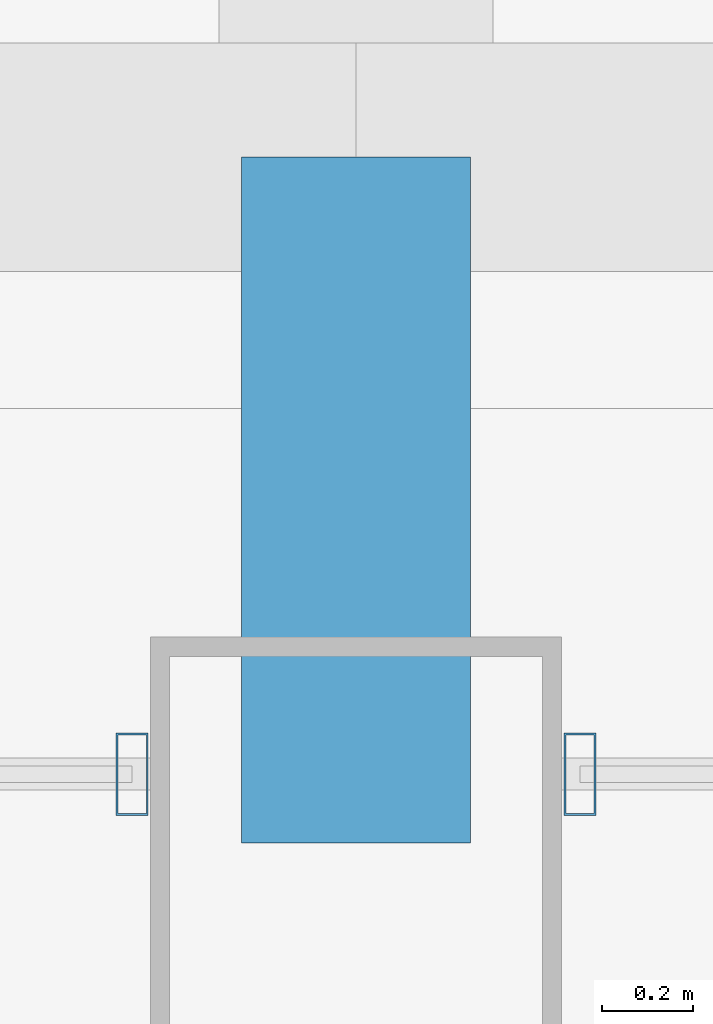
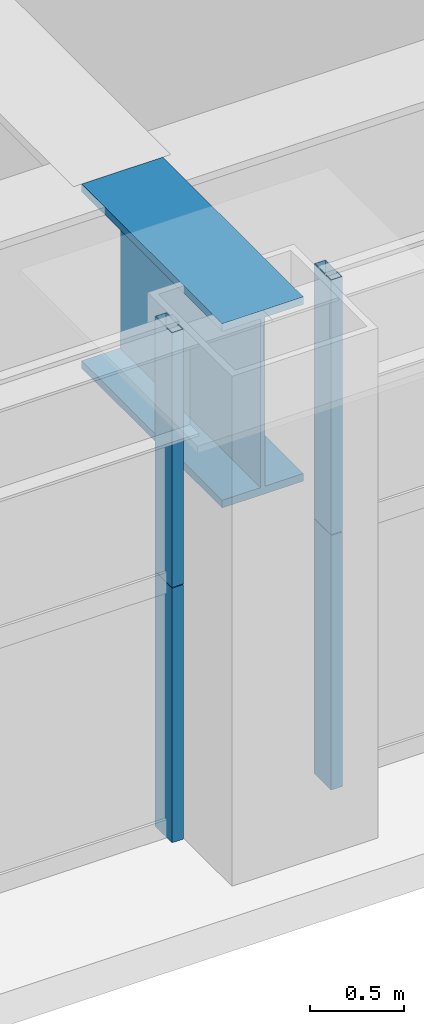
# One storey, part 7 of 44: 4 members, 1 beam, 2 elements without a shape of their own.
"""IFC4 building model written with IfcOpenShell, lengths in metres."""

from ifc_helpers import new_model, si_unit, direction, frame, origin, origin_2d, place, context, subcontext, project, spatial, hollow_rectangle, i_section, extrude, source, transform, mapped, material, layer, layer_set, material_profile, profile_set, type_object, element, aggregate, save


model = new_model("IFC4")

# Units and contexts
model_context = context("Model", 3, precision=1e-05, world=origin(), true_north=direction((0.0, 1.0)))
body_context = subcontext(model_context, "Body", "Model", "MODEL_VIEW")
ifc_project = project(units=[si_unit("LENGTHUNIT", "METRE"), si_unit("AREAUNIT", "SQUARE_METRE"), si_unit("VOLUMEUNIT", "CUBIC_METRE"), si_unit("PLANEANGLEUNIT", "RADIAN"), si_unit("MASSUNIT", "GRAM", prefix="KILO"), si_unit("THERMODYNAMICTEMPERATUREUNIT", "KELVIN"), si_unit("POWERUNIT", "WATT")], contexts=[model_context])

# Site, building, storey
site_placement = place(None, origin())
site = spatial("IfcSite", under=ifc_project, at=site_placement, CompositionType="ELEMENT")
building_placement = place(site_placement, origin())
building = spatial("IfcBuilding", under=site, at=building_placement, Name="Yuzanri Waterfront Tower", CompositionType="ELEMENT")
storey_placement = place(building_placement, frame((0.0, 0.0, 82.0)))
storey = spatial("IfcBuildingStorey", under=building, at=storey_placement, Name="L21", CompositionType="ELEMENT", Elevation=82.0)

# Beam
ifc_material_1 = material(Name="Steel Q420GJC", Category="steel")
ifc_material_profile_1 = material_profile(ifc_material_1, i_section(OverallWidth=0.5, OverallDepth=1.199951171875, WebThickness=0.028076171875, FlangeThickness=0.050048828125, at=origin_2d()), Name="PG 1200x500x28x50")
ifc_profile_set_1 = profile_set([ifc_material_profile_1], Name="Steel Q420GJC")
beam_type = type_object("IfcBeamType", Name="Setback Transfer Girder Q420GJC PG 1200x500", PredefinedType="USERDEFINED", material=ifc_profile_set_1)
shared_shape_1 = source(origin(), body_context, "Body", "SweptSolid", [
    extrude(i_section(OverallWidth=0.5, OverallDepth=1.199951171875, WebThickness=0.028076171875, FlangeThickness=0.050048828125, at=origin_2d()), origin(), (0.0, 0.0, 1.0), 1.5),
])
beam_placement = place(storey_placement, frame((37.0, 2.199951171875, 2.719970703125), z_axis=(0.0, -1.0, 0.0), x_axis=(1.0, 0.0, 0.0)))
element("IfcBeam", 1, at=beam_placement, inside=storey, type_object=beam_type, Name="L21 Setback Step Transfer S2", ObjectType="GIRDER", PredefinedType="USERDEFINED", context=body_context, shape_type="MappedRepresentation", body=[
    mapped(shared_shape_1, transform((0.0, 0.0, 0.0), scale=1.0)),
])

# Curtain wall, members
ifc_material_2 = material(Name="Anodized Architectural Bronze", Category="metal")
ifc_layer = layer(ifc_material_2, 0.159912109375)
ifc_layer_set = layer_set([ifc_layer], Name="Anodized Architectural Bronze")
curtain_wall_type = type_object("IfcCurtainWallType", Name="Anodized Bronze Hotel Lower-Tier Recessed Unitized Curtain Wall 8100", PredefinedType="NOTDEFINED", material=ifc_layer_set)
curtain_wall_1_placement = place(storey_placement, origin())
curtain_wall_1 = element("IfcCurtainWall", 2, at=curtain_wall_1_placement, inside=storey, type_object=curtain_wall_type, Name="L21 Curtain Wall CW-L21-SL", PredefinedType="NOTDEFINED")
ifc_material_3 = material(Name="Anodized Architectural Bronze", Category="metal")
ifc_material_profile_2 = material_profile(ifc_material_3, hollow_rectangle(XDim=0.070068359375, YDim=0.179931640625, WallThickness=0.00390625, at=origin_2d()), Name="CWM 70x180")
ifc_profile_set_2 = profile_set([ifc_material_profile_2], Name="Anodized Architectural Bronze")
member_type = type_object("IfcMemberType", Name="Anodized Bronze Standard Curtain-Wall Mullion 70x180", PredefinedType="MULLION", material=ifc_profile_set_2)
shared_shape_2 = source(origin(), body_context, "Body", "SweptSolid", [
    extrude(hollow_rectangle(XDim=0.070068359375, YDim=0.179931640625, WallThickness=0.00390625, at=origin_2d()), origin(), (0.0, 0.0, 1.0), 1.657958984375),
])
member_1_placement = place(storey_placement, frame((36.510009765625, 0.85009765625, 0.0), z_axis=(0.0, 0.0, 1.0), x_axis=(1.0, 0.0, 0.0)))
member_1 = element("IfcMember", 3, at=member_1_placement, type_object=member_type, Name="CW-L21-SL Lower Mullion 02", PredefinedType="MULLION", context=body_context, shape_type="MappedRepresentation", body=[
    mapped(shared_shape_2, transform((0.0, 0.0, 0.0), scale=1.0)),
])
member_2_placement = place(storey_placement, frame((36.510009765625, 0.85009765625, 1.662109375), z_axis=(0.0, 0.0, 1.0), x_axis=(1.0, 0.0, 0.0)))
member_2 = element("IfcMember", 4, at=member_2_placement, type_object=member_type, Name="CW-L21-SL Upper Mullion 02", PredefinedType="MULLION", context=body_context, shape_type="MappedRepresentation", body=[
    mapped(shared_shape_2, transform((0.0, 0.0, 0.0), scale=1.0)),
])
aggregate(curtain_wall_1, [member_1, member_2])

curtain_wall_2_placement = place(storey_placement, origin())
curtain_wall_2 = element("IfcCurtainWall", 5, at=curtain_wall_2_placement, inside=storey, type_object=curtain_wall_type, Name="L21 Curtain Wall CW-L21-SR", PredefinedType="NOTDEFINED")
member_3_placement = place(storey_placement, frame((37.489990234375, 0.85009765625, 0.0), z_axis=(0.0, 0.0, 1.0), x_axis=(1.0, 0.0, 0.0)))
member_3 = element("IfcMember", 6, at=member_3_placement, type_object=member_type, Name="CW-L21-SR Lower Mullion 00", PredefinedType="MULLION", context=body_context, shape_type="MappedRepresentation", body=[
    mapped(shared_shape_2, transform((0.0, 0.0, 0.0), scale=1.0)),
])
member_4_placement = place(storey_placement, frame((37.489990234375, 0.85009765625, 1.662109375), z_axis=(0.0, 0.0, 1.0), x_axis=(1.0, 0.0, 0.0)))
member_4 = element("IfcMember", 7, at=member_4_placement, type_object=member_type, Name="CW-L21-SR Upper Mullion 00", PredefinedType="MULLION", context=body_context, shape_type="MappedRepresentation", body=[
    mapped(shared_shape_2, transform((0.0, 0.0, 0.0), scale=1.0)),
])
aggregate(curtain_wall_2, [member_3, member_4])

save(model, "model.ifc")
